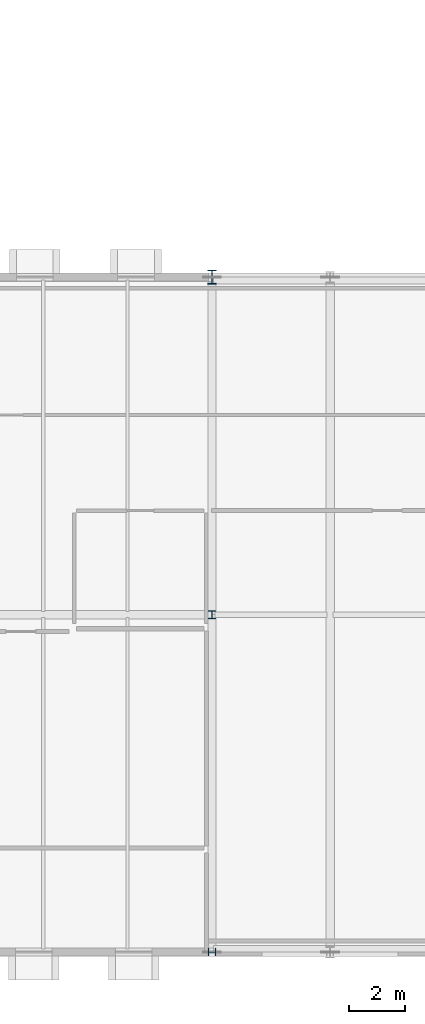
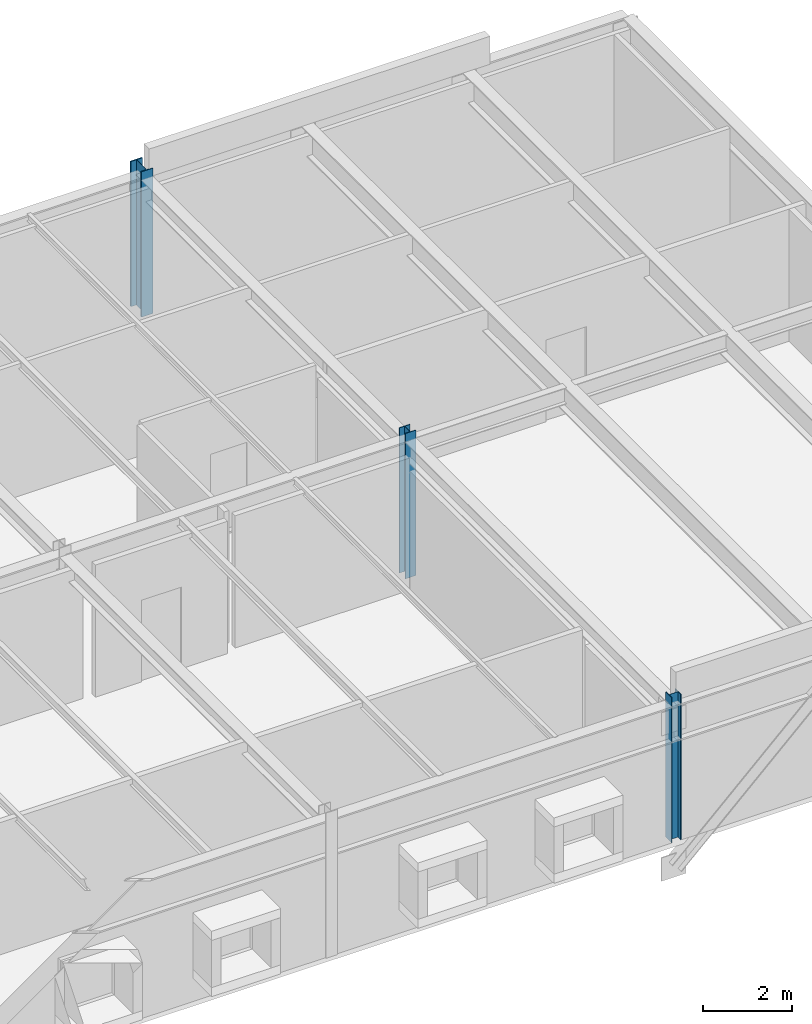
# One storey, part 4 of 36: 3 columns.
"""IFC4 building model written with IfcOpenShell, lengths in metres."""

import ifcopenshell
import ifcopenshell.guid

model = None  # the IFC model being written
_history = None  # IfcOwnerHistory: only IFC2X3 demands one
_inside = {}  # id of a spatial element -> (the spatial element, [elements in it])
_under = {}  # id of a project, library or spatial element -> (it, [spatial elements below it])
_declared = {}  # id of a project -> (the project, [libraries it declares])
_typed = {}  # id of a type object -> (the type object, [elements of that type])
_made_of = {}  # id of a material, layer set ... -> (it, [elements and type objects made of it])


def new_model(schema):
    """Start an empty IFC model of exactly this schema.

    Asked for "IFC4X3", IfcOpenShell would pick the latest addendum, in which some entities
    have other attributes; the version numbers below select the first issue.
    IFC2X3 requires an IfcOwnerHistory on every rooted entity: one is made here for all.
    """
    global model, _history
    if schema == "IFC4X3":
        model = ifcopenshell.file(schema_version=(4, 3, 0, 0))
    else:
        model = ifcopenshell.file(schema=schema)
    _inside.clear()
    _under.clear()
    _declared.clear()
    _typed.clear()
    _made_of.clear()
    _history = None
    if model.schema == "IFC2X3":
        org = make("IfcOrganization", Name="unknown")
        user = make(
            "IfcPersonAndOrganization",
            ThePerson=make("IfcPerson", FamilyName="unknown"),
            TheOrganization=org,
        )
        app = make(
            "IfcApplication",
            ApplicationDeveloper=org,
            Version="unknown",
            ApplicationFullName="unknown",
            ApplicationIdentifier="unknown",
        )
        _history = make(
            "IfcOwnerHistory",
            OwningUser=user,
            OwningApplication=app,
            ChangeAction="ADDED",
            CreationDate=0,
        )
    return model


def make(cls, **values):
    """One entity of the class cls with the attributes given. An attribute that is None is left unset."""
    return model.create_entity(
        cls, **{name: value for name, value in values.items() if value is not None}
    )


def rooted(cls, **values):
    """An entity with a GlobalId (a new one), such as an element, a storey or a relation."""
    return make(cls, GlobalId=ifcopenshell.guid.new(), OwnerHistory=_history, **values)


def si_unit(unit_type, name, prefix=None):
    """IfcSIUnit, for example si_unit("LENGTHUNIT", "METRE", prefix="MILLI")."""
    return make("IfcSIUnit", UnitType=unit_type, Prefix=prefix, Name=name)


def assignment(units):
    """IfcUnitAssignment: the units of a project."""
    return None if units is None else make("IfcUnitAssignment", Units=units)


def point(xyz):
    """IfcCartesianPoint."""
    return None if xyz is None else make("IfcCartesianPoint", Coordinates=xyz)


def direction(xyz):
    """IfcDirection."""
    return None if xyz is None else make("IfcDirection", DirectionRatios=xyz)


def frame(location, z_axis=None, x_axis=None):
    """IfcAxis2Placement3D, a coordinate frame: its origin and axes. An axis left out is left unset."""
    return make(
        "IfcAxis2Placement3D",
        Location=point(location),
        Axis=direction(z_axis),
        RefDirection=direction(x_axis),
    )


def frame_2d(location, x_axis=None):
    """IfcAxis2Placement2D, a coordinate frame in the plane: its origin and x axis."""
    return make(
        "IfcAxis2Placement2D", Location=point(location), RefDirection=direction(x_axis)
    )


def origin():
    """The frame at (0, 0, 0) with its axes left unset."""
    return frame((0.0, 0.0, 0.0))


def origin_2d():
    """The frame at (0, 0) in the plane with its x axis left unset."""
    return frame_2d((0.0, 0.0))


def place(relative_to, where):
    """IfcLocalPlacement: puts the frame where relative to a parent placement (None: the world)."""
    return make(
        "IfcLocalPlacement", PlacementRelTo=relative_to, RelativePlacement=where
    )


def context(
    kind, dimensions, precision=None, world=None, true_north=None, identifier=None
):
    """IfcGeometricRepresentationContext, for example the 3D "Model" context."""
    return make(
        "IfcGeometricRepresentationContext",
        ContextIdentifier=identifier,
        ContextType=kind,
        CoordinateSpaceDimension=dimensions,
        Precision=precision,
        WorldCoordinateSystem=world,
        TrueNorth=true_north,
    )


def subcontext(parent, identifier, kind, view, scale=None):
    """IfcGeometricRepresentationSubContext, for example "Body" below "Model"."""
    return make(
        "IfcGeometricRepresentationSubContext",
        ContextIdentifier=identifier,
        ContextType=kind,
        ParentContext=parent,
        TargetScale=scale,
        TargetView=view,
    )


def project(units=None, contexts=None):
    """IfcProject with its units and contexts."""
    return rooted(
        "IfcProject",
        Name="project",
        RepresentationContexts=contexts,
        UnitsInContext=assignment(units),
    )


def spatial(cls, under=None, at=None, **own):
    """A site, building, storey or space (cls), placed at a placement, below another one or the project."""
    s = rooted(cls, ObjectPlacement=at, **own)
    if under is not None:
        _under.setdefault(under.id(), (under, []))[1].append(s)
    return s


def profile(cls, at=None, kind="AREA", **sizes):
    """A parametric profile (cls). Its sizes go by their IFC names, for example OverallWidth=200.0."""
    return make(cls, ProfileType=kind, Position=at, **sizes)


def i_section(**sizes):
    """IfcIShapeProfileDef."""
    return profile("IfcIShapeProfileDef", **sizes)


def extrude(swept, where, along, depth):
    """IfcExtrudedAreaSolid: the profile swept, set in the frame where, extruded along a direction by depth."""
    return make(
        "IfcExtrudedAreaSolid",
        SweptArea=swept,
        Position=where,
        ExtrudedDirection=direction(along),
        Depth=depth,
    )


def shape(context_of_items, identifier, shape_type, items):
    """IfcShapeRepresentation: the items that make up one representation, for example the "Body"."""
    return make(
        "IfcShapeRepresentation",
        ContextOfItems=context_of_items,
        RepresentationIdentifier=identifier,
        RepresentationType=shape_type,
        Items=items,
    )


def material(Name=None, Category=None):
    """IfcMaterial."""
    return make("IfcMaterial", Name=Name, Category=Category)


def material_profile(
    of_material, cross_section, Name=None, Category=None, Priority=None
):
    """IfcMaterialProfile: a cross section and its material."""
    return make(
        "IfcMaterialProfile",
        Name=Name,
        Material=of_material,
        Profile=cross_section,
        Priority=Priority,
        Category=Category,
    )


def profile_set(profiles, Name=None, composite=None):
    """IfcMaterialProfileSet."""
    return make(
        "IfcMaterialProfileSet",
        Name=Name,
        MaterialProfiles=profiles,
        CompositeProfile=composite,
    )


def made_of(thing, what):
    """Note that an element or type object is made of a material, layer set ...; save() writes the relation."""
    if what is not None:
        _made_of.setdefault(what.id(), (what, []))[1].append(thing)
    return thing


def type_object(cls, material=None, **own):
    """A type object (cls), such as IfcWallType, which elements share."""
    return made_of(rooted(cls, **own), material)


def element(
    cls,
    number,
    at=None,
    inside=None,
    cuts=None,
    type_object=None,
    material=None,
    context=None,
    identifier="Body",
    shape_type=None,
    held_by="IfcProductDefinitionShape",
    body=None,
    shapes=None,
    **own,
):
    """One element of the class cls, such as IfcWall. Its Tag is "e" and its number.

    at: its placement. inside: the storey or other place that contains it. cuts: it is an
    opening in that element (IfcRelVoidsElement). A single representation is given by context,
    identifier, shape_type and body (its items); several are given by shapes. held_by: the class
    of the entity that holds the representations. save() writes the other relations.
    """
    e = rooted(cls, Tag="e%d" % number, ObjectPlacement=at, **own)
    if body is not None:
        shapes = [shape(context, identifier, shape_type, body)]
    if shapes is not None:
        e.Representation = make(held_by, Representations=shapes)
    if inside is not None:
        _inside.setdefault(inside.id(), (inside, []))[1].append(e)
    if cuts is not None:
        rooted(
            "IfcRelVoidsElement", RelatingBuildingElement=cuts, RelatedOpeningElement=e
        )
    if type_object is not None:
        _typed.setdefault(type_object.id(), (type_object, []))[1].append(e)
    return made_of(e, material)


def aggregate(whole, parts):
    """IfcRelAggregates: a whole, such as a stair, and the parts it consists of."""
    return rooted("IfcRelAggregates", RelatingObject=whole, RelatedObjects=parts)


def save(model, path):
    """Write the relations noted so far, then the file.

    IfcRelAggregates (storeys below a building ...), IfcRelContainedInSpatialStructure (elements
    in a storey), IfcRelDefinesByType, IfcRelAssociatesMaterial and IfcRelDeclares: one each for
    every whole, place, type object, material and project.
    """
    for whole, parts in _under.values():
        aggregate(whole, parts)
    for where, things in _inside.values():
        rooted(
            "IfcRelContainedInSpatialStructure",
            RelatedElements=things,
            RelatingStructure=where,
        )
    for kind, things in _typed.values():
        rooted("IfcRelDefinesByType", RelatedObjects=things, RelatingType=kind)
    for what, things in _made_of.values():
        rooted("IfcRelAssociatesMaterial", RelatedObjects=things, RelatingMaterial=what)
    for by, libraries in _declared.values():
        rooted("IfcRelDeclares", RelatingContext=by, RelatedDefinitions=libraries)
    model.write(path)


model = new_model("IFC4")

# Units and contexts
model_context = context("Model", 3, precision=1e-05, world=origin(), true_north=direction((0.0, 1.0)))
body_context = subcontext(model_context, "Body", "Model", "MODEL_VIEW")
ifc_project = project(units=[si_unit("LENGTHUNIT", "METRE"), si_unit("AREAUNIT", "SQUARE_METRE"), si_unit("VOLUMEUNIT", "CUBIC_METRE"), si_unit("PLANEANGLEUNIT", "RADIAN"), si_unit("MASSUNIT", "GRAM", prefix="KILO")], contexts=[model_context])

# Site, building, storey
site_placement = place(None, origin())
site = spatial("IfcSite", under=ifc_project, at=site_placement, CompositionType="ELEMENT")
building_placement = place(site_placement, origin())
building = spatial("IfcBuilding", under=site, at=building_placement, Name="Montelvaro Courts of Justice", CompositionType="ELEMENT")
storey_placement = place(building_placement, frame((0.0, 0.0, 23.39990234375)))
storey = spatial("IfcBuildingStorey", under=building, at=storey_placement, Name="L05", CompositionType="ELEMENT", Elevation=23.39990234375)

# Columns
ifc_material = material(Name="Steel S355", Category="steel")
ifc_material_profile_1 = material_profile(ifc_material, i_section(OverallWidth=0.260009765625, OverallDepth=0.260009765625, WebThickness=0.010009765625, FlangeThickness=0.017578125, at=origin_2d()), Name="HEB 260")
ifc_profile_set_1 = profile_set([ifc_material_profile_1], Name="Steel S355")
column_type_1 = type_object("IfcColumnType", Name="Col_HEB260", PredefinedType="COLUMN", material=ifc_profile_set_1)
column_1_placement = place(storey_placement, frame((135.0, 0.0, 0.0), z_axis=(0.0, 0.0, 1.0), x_axis=(0.0, 1.0, 0.0)))
element("IfcColumn", 1, at=column_1_placement, inside=storey, type_object=column_type_1, Name="Column C-01 L05 16/A", PredefinedType="COLUMN", context=body_context, shape_type="SweptSolid", body=[
    extrude(i_section(OverallWidth=0.260009765625, OverallDepth=0.260009765625, WebThickness=0.010009765625, FlangeThickness=0.017578125, at=origin_2d()), origin(), (0.0, 0.0, 1.0), 4.0),
])
ifc_material_profile_2 = material_profile(ifc_material, i_section(OverallWidth=0.280029296875, OverallDepth=0.280029296875, WebThickness=0.010498046875, FlangeThickness=0.01806640625, at=origin_2d()), Name="HEB 280")
ifc_profile_set_2 = profile_set([ifc_material_profile_2], Name="Steel S355")
column_type_2 = type_object("IfcColumnType", Name="Col_HEB280", PredefinedType="COLUMN", material=ifc_profile_set_2)
column_2_placement = place(storey_placement, frame((135.0, 12.0, 0.0), z_axis=(0.0, 0.0, 1.0), x_axis=(1.0, 0.0, 0.0)))
element("IfcColumn", 2, at=column_2_placement, inside=storey, type_object=column_type_2, Name="Column C-02 L05 16/B", PredefinedType="COLUMN", context=body_context, shape_type="SweptSolid", body=[
    extrude(i_section(OverallWidth=0.280029296875, OverallDepth=0.280029296875, WebThickness=0.010498046875, FlangeThickness=0.01806640625, at=origin_2d()), origin(), (0.0, 0.0, 1.0), 4.0),
])
ifc_material_profile_3 = material_profile(ifc_material, i_section(OverallWidth=0.300048828125, OverallDepth=0.5, WebThickness=0.014404296875, FlangeThickness=0.028076171875, at=origin_2d()), Name="HEB 500")
ifc_profile_set_3 = profile_set([ifc_material_profile_3], Name="Steel S355")
column_type_3 = type_object("IfcColumnType", Name="Col_HEB500", PredefinedType="COLUMN", material=ifc_profile_set_3)
column_3_placement = place(storey_placement, frame((135.0, 24.0, 0.0), z_axis=(0.0, 0.0, 1.0), x_axis=(1.0, 0.0, 0.0)))
element("IfcColumn", 3, at=column_3_placement, inside=storey, type_object=column_type_3, Name="Column C-09 L05 16/C", PredefinedType="COLUMN", context=body_context, shape_type="SweptSolid", body=[
    extrude(i_section(OverallWidth=0.300048828125, OverallDepth=0.5, WebThickness=0.014404296875, FlangeThickness=0.028076171875, at=origin_2d()), origin(), (0.0, 0.0, 1.0), 4.0),
])

save(model, "model.ifc")
